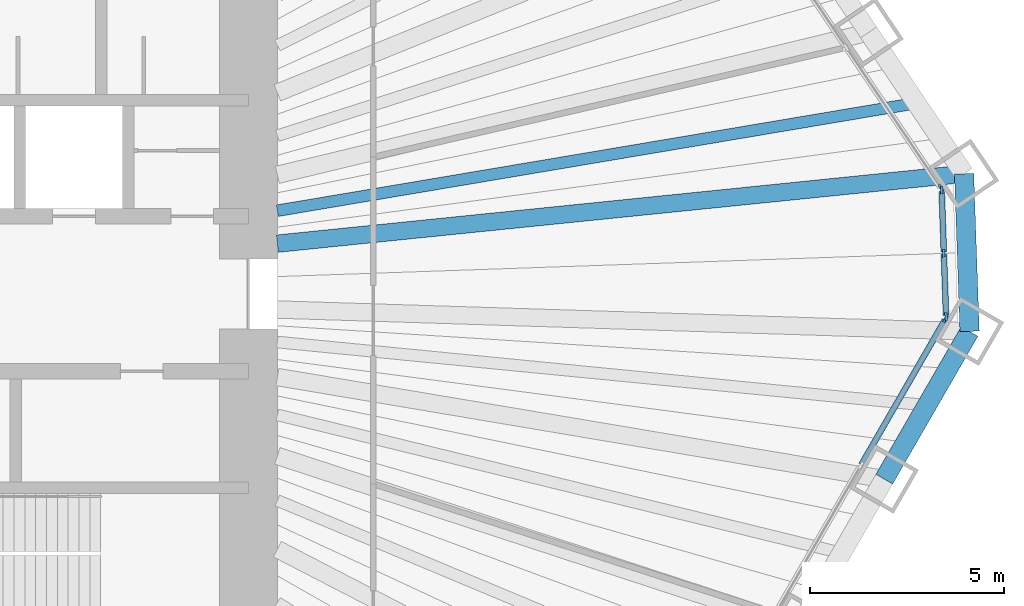
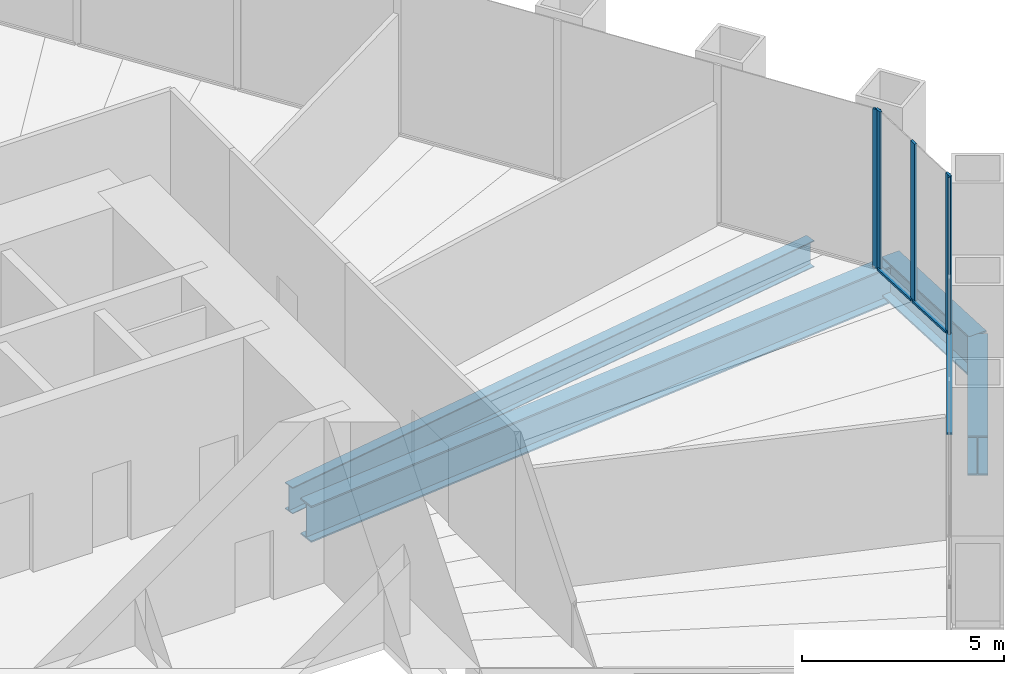
# One storey, part 5 of 13: 8 members, 4 beams, 3 elements without a shape of their own.
"""IFC4 building model written with IfcOpenShell, lengths in metres."""

from ifc_helpers import new_model, si_unit, direction, frame, origin, origin_2d, place, context, subcontext, project, spatial, rectangle, i_section, extrude, material, material_profile, profile_set, type_object, element, aggregate, save


model = new_model("IFC4")

# Units and contexts
model_context = context("Model", 3, precision=1e-05, world=origin(), true_north=direction((0.0, 1.0)))
body_context = subcontext(model_context, "Body", "Model", "MODEL_VIEW")
ifc_project = project(units=[si_unit("LENGTHUNIT", "METRE"), si_unit("AREAUNIT", "SQUARE_METRE"), si_unit("VOLUMEUNIT", "CUBIC_METRE"), si_unit("PLANEANGLEUNIT", "RADIAN"), si_unit("MASSUNIT", "GRAM", prefix="KILO")], contexts=[model_context])

# Site, building, storey
site_placement = place(None, origin())
site = spatial("IfcSite", under=ifc_project, at=site_placement, CompositionType="ELEMENT")
building_placement = place(site_placement, origin())
building = spatial("IfcBuilding", under=site, at=building_placement, Name="Qingtian Harvest Tower", CompositionType="ELEMENT")
storey_placement = place(building_placement, frame((0.0, 0.0, 27.0)))
storey = spatial("IfcBuildingStorey", under=building, at=storey_placement, Name="L05", CompositionType="ELEMENT", Elevation=27.0)

# Beams
ifc_material_1 = material(Name="Steel SM570MC", Category="steel")
ifc_material_profile_1 = material_profile(ifc_material_1, i_section(OverallWidth=0.449951171875, OverallDepth=1.10009765625, WebThickness=0.02197265625, FlangeThickness=0.044921875, at=origin_2d()), Name="H1100x450x22x45")
ifc_profile_set_1 = profile_set([ifc_material_profile_1], Name="Steel SM570MC")
beam_type_1 = type_object("IfcBeamType", Name="Corner floor beam FB8 H1100x450x22x45", PredefinedType="BEAM", material=ifc_profile_set_1)
beam_1_placement = place(storey_placement, frame((30.476318359375, 3.100830078125, -0.75), z_axis=(-0.994864371567, -0.101217005423, 0.0), x_axis=(0.101217005423, -0.994864371567, 0.0)))
element("IfcBeam", 1, at=beam_1_placement, inside=storey, type_object=beam_type_1, Name="Floor beam FB8 NE6", PredefinedType="BEAM", context=body_context, shape_type="SweptSolid", body=[
    extrude(i_section(OverallWidth=0.449951171875, OverallDepth=1.10009765625, WebThickness=0.02197265625, FlangeThickness=0.044921875, at=origin_2d()), origin(), (0.0, 0.0, 1.0), 17.81787109375),
])
ifc_material_2 = material(Name="Steel SN490B", Category="steel")
ifc_material_profile_2 = material_profile(ifc_material_2, i_section(OverallWidth=0.300048828125, OverallDepth=0.800048828125, WebThickness=0.013916015625, FlangeThickness=0.02587890625, at=origin_2d()), Name="H800x300x14x26")
ifc_profile_set_2 = profile_set([ifc_material_profile_2], Name="Steel SN490B")
beam_type_2 = type_object("IfcBeamType", Name="Floor joist J1 H800x300x14x26", PredefinedType="JOIST", material=ifc_profile_set_2)
beam_2_placement = place(storey_placement, frame((29.244873046875, 4.926513671875, -0.60009765625), z_axis=(-0.986107238024, -0.166109948877, 0.0), x_axis=(0.166109948877, -0.986107238024, 0.0)))
element("IfcBeam", 2, at=beam_2_placement, inside=storey, type_object=beam_type_2, Name="Floor joist J1 NE5", PredefinedType="JOIST", context=body_context, shape_type="SweptSolid", body=[
    extrude(i_section(OverallWidth=0.300048828125, OverallDepth=0.800048828125, WebThickness=0.013916015625, FlangeThickness=0.02587890625, at=origin_2d()), origin(), (0.0, 0.0, 1.0), 16.727294921875),
])

# Curtain wall, member
ifc_material_3 = material(Name="Bronze-anodised aluminium curtain wall", Category="aluminium")
curtain_wall_type = type_object("IfcCurtainWallType", Name="Curtain wall CW2 farm reception", PredefinedType="USERDEFINED", material=ifc_material_3)
curtain_wall_1_placement = place(storey_placement, origin())
curtain_wall_1 = element("IfcCurtainWall", 3, at=curtain_wall_1_placement, inside=storey, type_object=curtain_wall_type, Name="Curtain wall CW2 L05 NE0-5", ObjectType="RECESSED CURTAIN WALL", PredefinedType="USERDEFINED")
ifc_material_4 = material(Name="Bronze-anodised aluminium mullion", Category="aluminium")
ifc_material_profile_3 = material_profile(ifc_material_4, rectangle(XDim=0.06494140625, YDim=0.199951171875, at=origin_2d()), Name="AL 65x200")
ifc_profile_set_3 = profile_set([ifc_material_profile_3], Name="Bronze-anodised aluminium mullion")
member_type_1 = type_object("IfcMemberType", Name="Mullion CWM 65x200", PredefinedType="MULLION", material=ifc_profile_set_3)
member_1_placement = place(storey_placement, frame((29.8779296875, 2.736328125, 0.0), z_axis=(0.0, 0.0, 1.0), x_axis=(0.829037572555, 0.559192903471, 0.0)))
member_1 = element("IfcMember", 4, at=member_1_placement, type_object=member_type_1, Name="CW2 mullion 7", PredefinedType="MULLION", context=body_context, shape_type="SweptSolid", body=[
    extrude(rectangle(XDim=0.06494140625, YDim=0.199951171875, at=origin_2d()), origin(), (0.0, 0.0, 1.0), 4.800048828125),
])
aggregate(curtain_wall_1, [member_1])

# Curtain wall, members
curtain_wall_2_placement = place(storey_placement, origin())
curtain_wall_2 = element("IfcCurtainWall", 5, at=curtain_wall_2_placement, inside=storey, type_object=curtain_wall_type, Name="Curtain wall CW2 L05 NEC", ObjectType="RECESSED CURTAIN WALL", PredefinedType="USERDEFINED")
member_2_placement = place(storey_placement, frame((29.897216796875, 2.677001953125, 0.0), z_axis=(0.0, 0.0, 1.0), x_axis=(0.999390827019, 0.034899496703, 0.0)))
member_2 = element("IfcMember", 6, at=member_2_placement, type_object=member_type_1, Name="CW2 mullion 1", PredefinedType="MULLION", context=body_context, shape_type="SweptSolid", body=[
    extrude(rectangle(XDim=0.06494140625, YDim=0.199951171875, at=origin_2d()), origin(), (0.0, 0.0, 1.0), 4.800048828125),
])
member_3_placement = place(storey_placement, frame((29.9541015625, 1.046142578125, 0.0), z_axis=(0.0, 0.0, 1.0), x_axis=(0.999390827019, 0.034899496703, 0.0)))
member_3 = element("IfcMember", 7, at=member_3_placement, type_object=member_type_1, Name="CW2 mullion 2", PredefinedType="MULLION", context=body_context, shape_type="SweptSolid", body=[
    extrude(rectangle(XDim=0.06494140625, YDim=0.199951171875, at=origin_2d()), origin(), (0.0, 0.0, 1.0), 4.800048828125),
])
member_4_placement = place(storey_placement, frame((30.010986328125, -0.5849609375, 0.0), z_axis=(0.0, 0.0, 1.0), x_axis=(0.999390827019, 0.034899496703, 0.0)))
member_4 = element("IfcMember", 8, at=member_4_placement, type_object=member_type_1, Name="CW2 mullion 3", PredefinedType="MULLION", context=body_context, shape_type="SweptSolid", body=[
    extrude(rectangle(XDim=0.06494140625, YDim=0.199951171875, at=origin_2d()), origin(), (0.0, 0.0, 1.0), 4.800048828125),
])

# Curtain wall, member
curtain_wall_3_placement = place(storey_placement, origin())
curtain_wall_3 = element("IfcCurtainWall", 9, at=curtain_wall_3_placement, inside=storey, type_object=curtain_wall_type, Name="Curtain wall CW2 L05 SE0-5", ObjectType="RECESSED CURTAIN WALL", PredefinedType="USERDEFINED")
member_5_placement = place(storey_placement, frame((29.995849609375, -0.6455078125, 0.0), z_axis=(0.0, 0.0, 1.0), x_axis=(0.866025403784, -0.5, 0.0)))
member_5 = element("IfcMember", 10, at=member_5_placement, type_object=member_type_1, Name="CW2 mullion 1", PredefinedType="MULLION", context=body_context, shape_type="SweptSolid", body=[
    extrude(rectangle(XDim=0.06494140625, YDim=0.199951171875, at=origin_2d()), origin(), (0.0, 0.0, 1.0), 4.800048828125),
])

# Beams
ifc_material_5 = material(Name="Steel SM570MC", Category="steel")
ifc_material_profile_4 = material_profile(ifc_material_5, i_section(OverallWidth=0.5, OverallDepth=1.199951171875, WebThickness=0.02490234375, FlangeThickness=0.050048828125, at=origin_2d()), Name="H1200x500x25x50")
ifc_profile_set_4 = profile_set([ifc_material_profile_4], Name="Steel SM570MC")
beam_type_3 = type_object("IfcBeamType", Name="Spandrel beam SB1 H1200x500x25x50", PredefinedType="SPANDREL", material=ifc_profile_set_4)
beam_3_placement = place(storey_placement, frame((30.476318359375, 3.100830078125, -0.60009765625), z_axis=(0.03490639867, -0.999390585973, 0.0), x_axis=(0.999390585973, 0.03490639867, 0.0)))
element("IfcBeam", 11, at=beam_3_placement, inside=storey, type_object=beam_type_3, Name="Spandrel SB1 NEC", PredefinedType="SPANDREL", context=body_context, shape_type="SweptSolid", body=[
    extrude(i_section(OverallWidth=0.5, OverallDepth=1.199951171875, WebThickness=0.02490234375, FlangeThickness=0.050048828125, at=origin_2d()), origin(), (0.0, 0.0, 1.0), 4.070556640625),
])
beam_4_placement = place(storey_placement, frame((30.618408203125, -0.96728515625, -0.60009765625), z_axis=(-0.50001992892, -0.866013897511, 0.0), x_axis=(0.866013897511, -0.50001992892, 0.0)))
element("IfcBeam", 12, at=beam_4_placement, inside=storey, type_object=beam_type_3, Name="Spandrel SB1 SE0", PredefinedType="SPANDREL", context=body_context, shape_type="SweptSolid", body=[
    extrude(i_section(OverallWidth=0.5, OverallDepth=1.199951171875, WebThickness=0.02490234375, FlangeThickness=0.050048828125, at=origin_2d()), origin(), (0.0, 0.0, 1.0), 4.404541015625),
])

# Member
ifc_material_6 = material(Name="Bronze-anodised aluminium transom", Category="aluminium")
ifc_material_profile_5 = material_profile(ifc_material_6, rectangle(XDim=0.14990234375, YDim=0.06494140625, at=origin_2d()), Name="AL 65x150")
ifc_profile_set_5 = profile_set([ifc_material_profile_5], Name="Bronze-anodised aluminium transom")
member_type_2 = type_object("IfcMemberType", Name="Transom CWT 65x150", PredefinedType="USERDEFINED", material=ifc_profile_set_5)
member_6_placement = place(storey_placement, frame((29.898193359375, 2.64453125, 0.032470703125), z_axis=(0.034902326647, -0.999390728191, 0.0), x_axis=(0.999390728191, 0.034902326647, 0.0)))
member_6 = element("IfcMember", 13, at=member_6_placement, type_object=member_type_2, Name="CW2 transom 1.1", ObjectType="TRANSOM", PredefinedType="USERDEFINED", context=body_context, shape_type="SweptSolid", body=[
    extrude(rectangle(XDim=0.14990234375, YDim=0.06494140625, at=origin_2d()), origin(), (0.0, 0.0, 1.0), 1.56689453125),
])

member_7_placement = place(storey_placement, frame((29.955322265625, 1.013427734375, 0.032470703125), z_axis=(0.034902326647, -0.999390728191, 0.0), x_axis=(0.999390728191, 0.034902326647, 0.0)))
member_7 = element("IfcMember", 14, at=member_7_placement, type_object=member_type_2, Name="CW2 transom 2.1", ObjectType="TRANSOM", PredefinedType="USERDEFINED", context=body_context, shape_type="SweptSolid", body=[
    extrude(rectangle(XDim=0.14990234375, YDim=0.06494140625, at=origin_2d()), origin(), (0.0, 0.0, 1.0), 1.56689453125),
])

aggregate(curtain_wall_2, [member_2, member_3, member_4, member_6, member_7])

member_8_placement = place(storey_placement, frame((29.979736328125, -0.673583984375, 0.032470703125), z_axis=(-0.499985768833, -0.866033619997, 0.0), x_axis=(0.866033619997, -0.499985768833, 0.0)))
member_8 = element("IfcMember", 15, at=member_8_placement, type_object=member_type_2, Name="CW2 transom 1.1", ObjectType="TRANSOM", PredefinedType="USERDEFINED", context=body_context, shape_type="SweptSolid", body=[
    extrude(rectangle(XDim=0.14990234375, YDim=0.06494140625, at=origin_2d()), origin(), (0.0, 0.0, 1.0), 4.307373046875),
])

aggregate(curtain_wall_3, [member_5, member_8])

save(model, "model.ifc")
